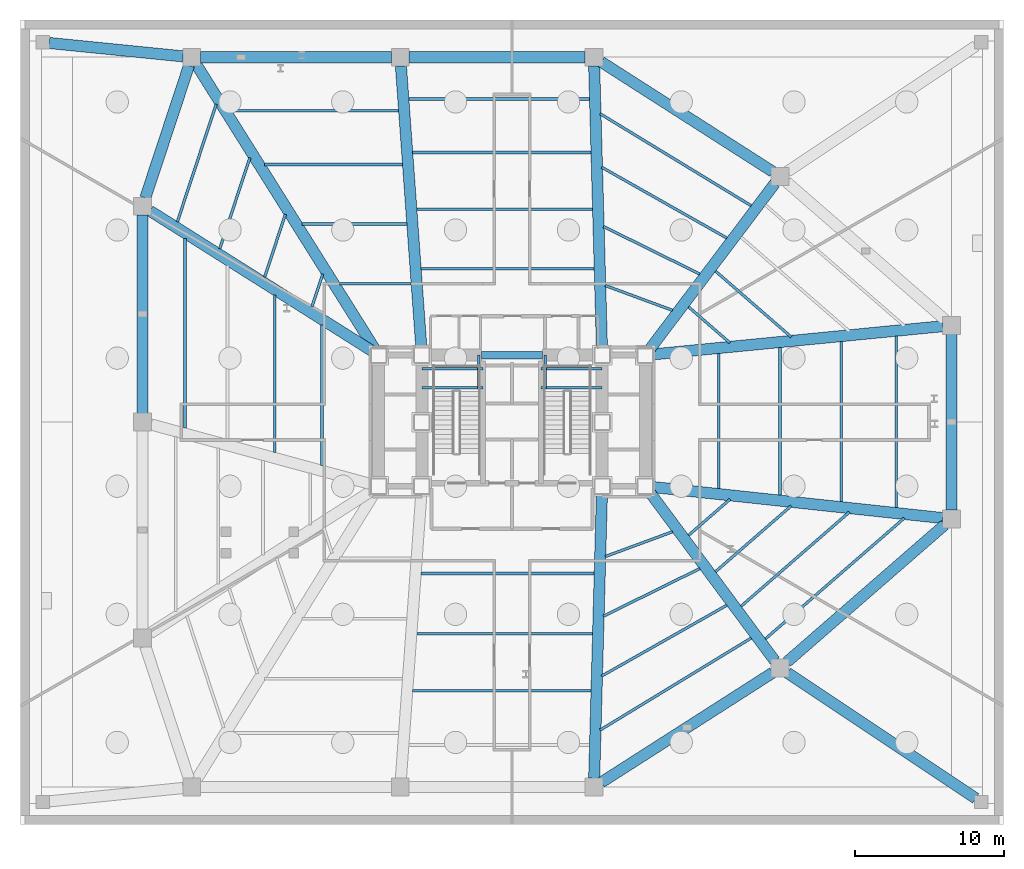
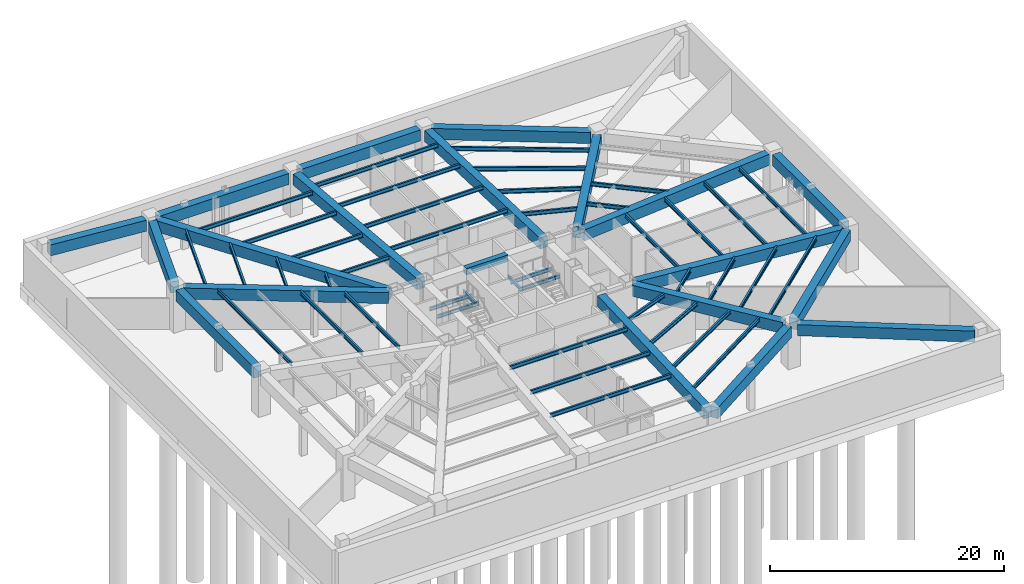
# One storey, part 2 of 7: 62 beams.
"""IFC4 building model written with IfcOpenShell, lengths in metres."""

from ifc_helpers import new_model, si_unit, direction, frame, origin, origin_2d, place, context, subcontext, project, spatial, rectangle, i_section, extrude, material, material_profile, profile_set, type_object, element, save


model = new_model("IFC4")

# Units and contexts
model_context = context("Model", 3, precision=1e-05, world=origin(), true_north=direction((0.0, 1.0)))
body_context = subcontext(model_context, "Body", "Model", "MODEL_VIEW")
ifc_project = project(units=[si_unit("LENGTHUNIT", "METRE"), si_unit("AREAUNIT", "SQUARE_METRE"), si_unit("VOLUMEUNIT", "CUBIC_METRE"), si_unit("PLANEANGLEUNIT", "RADIAN"), si_unit("MASSUNIT", "GRAM", prefix="KILO")], contexts=[model_context])

# Site, building, storey
site_placement = place(None, origin())
site = spatial("IfcSite", under=ifc_project, at=site_placement, CompositionType="ELEMENT")
building_placement = place(site_placement, origin())
building = spatial("IfcBuilding", under=site, at=building_placement, Name="Rocaltana Carrier Exchange", CompositionType="ELEMENT")
storey_placement = place(building_placement, frame((0.0, 0.0, -9.60009765625)))
storey = spatial("IfcBuildingStorey", under=building, at=storey_placement, Name="Lower Basement", CompositionType="ELEMENT", Elevation=-9.60009765625)

# Beams
ifc_material_1 = material(Name="Concrete C50/60", Category="concrete")
ifc_material_profile_1 = material_profile(ifc_material_1, rectangle(XDim=0.75, YDim=1.14990234375, at=origin_2d()), Name="RC-BM-750X1150")
ifc_profile_set_1 = profile_set([ifc_material_profile_1], Name="Concrete C50/60")
beam_type_1 = type_object("IfcBeamType", Name="Basement RC Girder 750x1150", PredefinedType="BEAM", material=ifc_profile_set_1)
beam_1_placement = place(storey_placement, frame((5.99853515625, -24.180908203125, 3.873046875), z_axis=(0.842273348616, 0.539050652733, 0.0), x_axis=(-0.539050652733, 0.842273348616, 0.0)))
element("IfcBeam", 1, at=beam_1_placement, inside=storey, type_object=beam_type_1, Name="BM-PODR-03-Lower_Basement", PredefinedType="BEAM", context=body_context, shape_type="SweptSolid", body=[
    extrude(rectangle(XDim=0.75, YDim=1.14990234375, at=origin_2d()), origin(), (0.0, 0.0, 1.0), 13.656982421875),
])
beam_2_placement = place(storey_placement, frame((18.44677734375, -16.111572265625, 3.873046875), z_axis=(0.754600286985, 0.656184735331, 0.0), x_axis=(-0.656184735331, 0.754600286985, 0.0)))
element("IfcBeam", 2, at=beam_2_placement, inside=storey, type_object=beam_type_1, Name="BM-PODR-04-Lower_Basement", PredefinedType="BEAM", context=body_context, shape_type="SweptSolid", body=[
    extrude(rectangle(XDim=0.75, YDim=1.14990234375, at=origin_2d()), origin(), (0.0, 0.0, 1.0), 14.0556640625),
])
beam_3_placement = place(storey_placement, frame((29.5, -5.907958984375, 3.873046875), z_axis=(0.0, 1.0, 0.0), x_axis=(-1.0, 0.0, 0.0)))
element("IfcBeam", 3, at=beam_3_placement, inside=storey, type_object=beam_type_1, Name="BM-PODR-05-Lower_Basement", PredefinedType="BEAM", context=body_context, shape_type="SweptSolid", body=[
    extrude(rectangle(XDim=0.75, YDim=1.14990234375, at=origin_2d()), origin(), (0.0, 0.0, 1.0), 11.81591796875),
])
beam_4_placement = place(storey_placement, frame((17.50146484375, 16.819091796875, 3.873046875), z_axis=(-0.842273348616, 0.539050652733, 0.0), x_axis=(-0.539050652733, -0.842273348616, 0.0)))
element("IfcBeam", 4, at=beam_4_placement, inside=storey, type_object=beam_type_1, Name="BM-PODR-07-Lower_Basement", PredefinedType="BEAM", context=body_context, shape_type="SweptSolid", body=[
    extrude(rectangle(XDim=0.75, YDim=1.14990234375, at=origin_2d()), origin(), (0.0, 0.0, 1.0), 13.656982421875),
])
beam_5_placement = place(storey_placement, frame((4.907958984375, 24.5, 3.873046875), z_axis=(-1.0, 0.0, 0.0), x_axis=(0.0, -1.0, 0.0)))
element("IfcBeam", 5, at=beam_5_placement, inside=storey, type_object=beam_type_1, Name="BM-PODR-08-Lower_Basement", PredefinedType="BEAM", context=body_context, shape_type="SweptSolid", body=[
    extrude(rectangle(XDim=0.75, YDim=1.14990234375, at=origin_2d()), origin(), (0.0, 0.0, 1.0), 11.81591796875),
])
beam_6_placement = place(storey_placement, frame((-8.092041015625, 24.5, 3.873046875), z_axis=(-1.0, 0.0, 0.0), x_axis=(0.0, -1.0, 0.0)))
element("IfcBeam", 6, at=beam_6_placement, inside=storey, type_object=beam_type_1, Name="BM-PODR-09-Lower_Basement", PredefinedType="BEAM", context=body_context, shape_type="SweptSolid", body=[
    extrude(rectangle(XDim=0.75, YDim=1.14990234375, at=origin_2d()), origin(), (0.0, 0.0, 1.0), 12.81591796875),
])
beam_7_placement = place(storey_placement, frame((-21.685546875, 23.937744140625, 3.873046875), z_axis=(-0.313381694349, -0.949627249844, 0.0), x_axis=(0.949627249844, -0.313381694349, 0.0)))
element("IfcBeam", 7, at=beam_7_placement, inside=storey, type_object=beam_type_1, Name="BM-PODR-10-Lower_Basement", PredefinedType="BEAM", context=body_context, shape_type="SweptSolid", body=[
    extrude(rectangle(XDim=0.75, YDim=1.14990234375, at=origin_2d()), origin(), (0.0, 0.0, 1.0), 9.34619140625),
])
beam_8_placement = place(storey_placement, frame((-24.800048828125, 13.907958984375, 3.873046875), z_axis=(0.0, -1.0, 0.0), x_axis=(1.0, 0.0, 0.0)))
element("IfcBeam", 8, at=beam_8_placement, inside=storey, type_object=beam_type_1, Name="BM-PODR-11-Lower_Basement", PredefinedType="BEAM", context=body_context, shape_type="SweptSolid", body=[
    extrude(rectangle(XDim=0.75, YDim=1.14990234375, at=origin_2d()), origin(), (0.0, 0.0, 1.0), 13.31591796875),
])
beam_9_placement = place(storey_placement, frame((6.03515625, -4.841796875, 3.873046875), z_axis=(-0.027212823481, -0.999629662544, 0.0), x_axis=(0.999629662544, -0.027212823481, 0.0)))
element("IfcBeam", 9, at=beam_9_placement, inside=storey, type_object=beam_type_1, Name="BM-PODG-03-Lower_Basement", PredefinedType="BEAM", context=body_context, shape_type="SweptSolid", body=[
    extrude(rectangle(XDim=0.75, YDim=1.14990234375, at=origin_2d()), origin(), (0.0, 0.0, 1.0), 19.073486328125),
])
beam_10_placement = place(storey_placement, frame((9.27294921875, -4.7353515625, 3.873046875), z_axis=(0.595778622858, -0.8031486989, 0.0), x_axis=(0.8031486989, 0.595778622858, 0.0)))
element("IfcBeam", 10, at=beam_10_placement, inside=storey, type_object=beam_type_1, Name="BM-PODG-04-Lower_Basement", PredefinedType="BEAM", context=body_context, shape_type="SweptSolid", body=[
    extrude(rectangle(XDim=0.75, YDim=1.14990234375, at=origin_2d()), origin(), (0.0, 0.0, 1.0), 14.055908203125),
])
beam_11_placement = place(storey_placement, frame((9.489013671875, -4.357666015625, 3.873046875), z_axis=(0.994317945297, -0.106451038792, 0.0), x_axis=(0.106451038792, 0.994317945297, 0.0)))
element("IfcBeam", 11, at=beam_11_placement, inside=storey, type_object=beam_type_1, Name="BM-PODG-05-Lower_Basement", PredefinedType="BEAM", context=body_context, shape_type="SweptSolid", body=[
    extrude(rectangle(XDim=0.75, YDim=1.14990234375, at=origin_2d()), origin(), (0.0, 0.0, 1.0), 19.533447265625),
])
beam_12_placement = place(storey_placement, frame((9.489501953125, 4.552490234375, 3.873046875), z_axis=(0.995297550212, 0.096864784836, 0.0), x_axis=(-0.096864784836, 0.995297550212, 0.0)))
element("IfcBeam", 12, at=beam_12_placement, inside=storey, type_object=beam_type_1, Name="BM-PODG-06-Lower_Basement", PredefinedType="BEAM", context=body_context, shape_type="SweptSolid", body=[
    extrude(rectangle(XDim=0.75, YDim=1.14990234375, at=origin_2d()), origin(), (0.0, 0.0, 1.0), 19.51318359375),
])
beam_13_placement = place(storey_placement, frame((9.2763671875, 4.9326171875, 3.873046875), z_axis=(0.602123023099, 0.798403322296, 0.0), x_axis=(-0.798403322296, 0.602123023099, 0.0)))
element("IfcBeam", 13, at=beam_13_placement, inside=storey, type_object=beam_type_1, Name="BM-PODG-07-Lower_Basement", PredefinedType="BEAM", context=body_context, shape_type="SweptSolid", body=[
    extrude(rectangle(XDim=0.75, YDim=1.14990234375, at=origin_2d()), origin(), (0.0, 0.0, 1.0), 13.896240234375),
])
beam_14_placement = place(storey_placement, frame((6.03515625, 5.041748046875, 3.873046875), z_axis=(-0.027488088676, 0.999622131098, 0.0), x_axis=(-0.999622131098, -0.027488088676, 0.0)))
element("IfcBeam", 14, at=beam_14_placement, inside=storey, type_object=beam_type_1, Name="BM-PODG-08-Lower_Basement", PredefinedType="BEAM", context=body_context, shape_type="SweptSolid", body=[
    extrude(rectangle(XDim=0.75, YDim=1.14990234375, at=origin_2d()), origin(), (0.0, 0.0, 1.0), 18.87353515625),
])
beam_15_placement = place(storey_placement, frame((-6.089111328125, 5.04052734375, 3.873046875), z_axis=(-0.072319098721, 0.997381545829, 0.0), x_axis=(-0.997381545829, -0.072319098721, 0.0)))
element("IfcBeam", 15, at=beam_15_placement, inside=storey, type_object=beam_type_1, Name="BM-PODG-09-Lower_Basement", PredefinedType="BEAM", context=body_context, shape_type="SweptSolid", body=[
    extrude(rectangle(XDim=0.75, YDim=1.14990234375, at=origin_2d()), origin(), (0.0, 0.0, 1.0), 18.91845703125),
])
beam_16_placement = place(storey_placement, frame((-9.238037109375, 4.958984375, 3.873046875), z_axis=(-0.531519187867, 0.847046251942, 0.0), x_axis=(-0.847046251942, -0.531519187867, 0.0)))
element("IfcBeam", 16, at=beam_16_placement, inside=storey, type_object=beam_type_1, Name="BM-PODG-10-Lower_Basement", PredefinedType="BEAM", context=body_context, shape_type="SweptSolid", body=[
    extrude(rectangle(XDim=0.75, YDim=1.14990234375, at=origin_2d()), origin(), (0.0, 0.0, 1.0), 22.4775390625),
])
beam_17_placement = place(storey_placement, frame((-9.408447265625, 4.789306640625, 3.873046875), z_axis=(-0.845744823704, 0.533587568425, 0.0), x_axis=(-0.533587568425, -0.845744823704, 0.0)))
element("IfcBeam", 17, at=beam_17_placement, inside=storey, type_object=beam_type_1, Name="BM-PODG-11-Lower_Basement", PredefinedType="BEAM", context=body_context, shape_type="SweptSolid", body=[
    extrude(rectangle(XDim=0.75, YDim=1.14990234375, at=origin_2d()), origin(), (0.0, 0.0, 1.0), 17.606689453125),
])
beam_18_placement = place(storey_placement, frame((18.49267578125, -16.828369140625, 3.873046875), z_axis=(0.832042876601, -0.554711322669, 0.0), x_axis=(0.554711322669, 0.832042876601, 0.0)))
element("IfcBeam", 18, at=beam_18_placement, inside=storey, type_object=beam_type_1, Name="BM-BSUB-2-Lower_Basement", PredefinedType="BEAM", context=body_context, shape_type="SweptSolid", body=[
    extrude(rectangle(XDim=0.75, YDim=1.14990234375, at=origin_2d()), origin(), (0.0, 0.0, 1.0), 15.19091796875),
])
beam_19_placement = place(storey_placement, frame((-22.089111328125, 24.558837890625, 3.873046875), z_axis=(-0.995036117726, 0.099514443277, 0.0), x_axis=(-0.099514443277, -0.995036117726, 0.0)))
element("IfcBeam", 19, at=beam_19_placement, inside=storey, type_object=beam_type_1, Name="BM-BSUB-4-Lower_Basement", PredefinedType="BEAM", context=body_context, shape_type="SweptSolid", body=[
    extrude(rectangle(XDim=0.75, YDim=1.14990234375, at=origin_2d()), origin(), (0.0, 0.0, 1.0), 9.015869140625),
])
ifc_material_2 = material(Name="Concrete C60/75", Category="concrete")
ifc_material_profile_2 = material_profile(ifc_material_2, rectangle(XDim=0.5, YDim=0.699951171875, at=origin_2d()), Name="RC-BM-500X700")
ifc_profile_set_2 = profile_set([ifc_material_profile_2], Name="Concrete C60/75")
beam_type_2 = type_object("IfcBeamType", Name="Core Coupling Lintel 500x700", PredefinedType="LINTEL", material=ifc_profile_set_2)
beam_20_placement = place(storey_placement, frame((-2.050048828125, 4.5, 4.09814453125), z_axis=(1.0, 0.0, 0.0), x_axis=(0.0, 1.0, 0.0)))
element("IfcBeam", 20, at=beam_20_placement, inside=storey, type_object=beam_type_2, Name="Lower Basement Core Coupling Lintel CL-N", PredefinedType="LINTEL", context=body_context, shape_type="SweptSolid", body=[
    extrude(rectangle(XDim=0.5, YDim=0.699951171875, at=origin_2d()), origin(), (0.0, 0.0, 1.0), 4.10009765625),
])
ifc_material_3 = material(Name="Steel S355", Category="steel")
ifc_material_profile_3 = material_profile(ifc_material_3, i_section(OverallWidth=0.172119140625, OverallDepth=0.35791015625, WebThickness=0.0078125, FlangeThickness=0.01318359375, FilletRadius=0.011962890625, at=origin_2d()), Name="W14X38")
ifc_profile_set_3 = profile_set([ifc_material_profile_3], Name="Steel S355")
beam_type_3 = type_object("IfcBeamType", Name="Floor Joist W14X38", PredefinedType="JOIST", material=ifc_profile_set_3)
for number, where, z_axis, x_axis, name in (
    (21, (-6.050048828125, 2.300048828125, 2.02099609375), (1.0, 0.0, 0.0), (0.0, 1.0, 0.0), "Lower Basement ST-1 Landing Carrier 1"),
    (22, (1.93994140625, 2.300048828125, 2.02099609375), (1.0, 0.0, 0.0), (0.0, 1.0, 0.0), "Lower Basement ST-2 Landing Carrier 1"),
    (23, (-6.050048828125, 3.60009765625, 2.02099609375), (1.0, 0.0, 0.0), (0.0, 1.0, 0.0), "Lower Basement ST-1 Landing Carrier 2"),
    (24, (1.93994140625, 3.60009765625, 2.02099609375), (1.0, 0.0, 0.0), (0.0, 1.0, 0.0), "Lower Basement ST-2 Landing Carrier 2"),
):
    element("IfcBeam", number, at=place(storey_placement, frame(where, z_axis=z_axis, x_axis=x_axis)), inside=storey, type_object=beam_type_3, Name=name, PredefinedType="JOIST", context=body_context, shape_type="SweptSolid", body=[
        extrude(i_section(OverallWidth=0.172119140625, OverallDepth=0.35791015625, WebThickness=0.0078125, FlangeThickness=0.01318359375, FilletRadius=0.011962890625, at=origin_2d()), origin(), (0.0, 0.0, 1.0), 4.110107421875),
    ])
for number, where, z_axis, x_axis, name in (
    (25, (-2.219970703125, 2.300048828125, 2.02099609375), (0.0, 1.0, 0.0), (-1.0, 0.0, 0.0), "Lower Basement ST-1 Landing Cross Trimmer"),
    (26, (2.219970703125, 2.300048828125, 2.02099609375), (0.0, 1.0, 0.0), (-1.0, 0.0, 0.0), "Lower Basement ST-2 Landing Cross Trimmer"),
):
    element("IfcBeam", number, at=place(storey_placement, frame(where, z_axis=z_axis, x_axis=x_axis)), inside=storey, type_object=beam_type_3, Name=name, PredefinedType="JOIST", context=body_context, shape_type="SweptSolid", body=[
        extrude(i_section(OverallWidth=0.172119140625, OverallDepth=0.35791015625, WebThickness=0.0078125, FlangeThickness=0.01318359375, FilletRadius=0.011962890625, at=origin_2d()), origin(), (0.0, 0.0, 1.0), 2.199951171875),
    ])
ifc_material_4 = material(Name="Steel S355", Category="steel")
ifc_material_profile_4 = material_profile(ifc_material_4, i_section(OverallWidth=0.179931640625, OverallDepth=0.4130859375, WebThickness=0.009765625, FlangeThickness=0.01611328125, FilletRadius=0.012939453125, at=origin_2d()), Name="W16X50")
ifc_profile_set_4 = profile_set([ifc_material_profile_4], Name="Steel S355")
beam_type_4 = type_object("IfcBeamType", Name="Floor Joist W16X50", PredefinedType="JOIST", material=ifc_profile_set_4)
beam_21_placement = place(storey_placement, frame((-6.1015625, -10.157958984375, 4.24169921875), z_axis=(1.0, 0.0, 0.0), x_axis=(0.0, 1.0, 0.0)))
element("IfcBeam", 27, at=beam_21_placement, inside=storey, type_object=beam_type_4, Name="FJ-POD-02-1-Lower_Basement", PredefinedType="JOIST", context=body_context, shape_type="SweptSolid", body=[
    extrude(i_section(OverallWidth=0.179931640625, OverallDepth=0.4130859375, WebThickness=0.009765625, FlangeThickness=0.01611328125, FilletRadius=0.012939453125, at=origin_2d()), origin(), (0.0, 0.0, 1.0), 11.623046875),
])
beam_22_placement = place(storey_placement, frame((-6.3916015625, -14.197998046875, 4.24169921875), z_axis=(1.0, 0.0, 0.0), x_axis=(0.0, 1.0, 0.0)))
element("IfcBeam", 28, at=beam_22_placement, inside=storey, type_object=beam_type_4, Name="FJ-POD-02-2-Lower_Basement", PredefinedType="JOIST", context=body_context, shape_type="SweptSolid", body=[
    extrude(i_section(OverallWidth=0.179931640625, OverallDepth=0.4130859375, WebThickness=0.009765625, FlangeThickness=0.01611328125, FilletRadius=0.012939453125, at=origin_2d()), origin(), (0.0, 0.0, 1.0), 11.80322265625),
])
beam_23_placement = place(storey_placement, frame((-6.6669921875, -18.035888671875, 4.24169921875), z_axis=(1.0, 0.0, 0.0), x_axis=(0.0, 1.0, 0.0)))
element("IfcBeam", 29, at=beam_23_placement, inside=storey, type_object=beam_type_4, Name="FJ-POD-02-3-Lower_Basement", PredefinedType="JOIST", context=body_context, shape_type="SweptSolid", body=[
    extrude(i_section(OverallWidth=0.179931640625, OverallDepth=0.4130859375, WebThickness=0.009765625, FlangeThickness=0.01611328125, FilletRadius=0.012939453125, at=origin_2d()), origin(), (0.0, 0.0, 1.0), 11.973876953125),
])
beam_24_placement = place(storey_placement, frame((6.26416015625, -9.020263671875, 4.24169921875), z_axis=(0.93818526809, 0.346133504212, 0.0), x_axis=(-0.346133504212, 0.93818526809, 0.0)))
element("IfcBeam", 30, at=beam_24_placement, inside=storey, type_object=beam_type_4, Name="FJ-POD-03-1-Lower_Basement", PredefinedType="JOIST", context=body_context, shape_type="SweptSolid", body=[
    extrude(i_section(OverallWidth=0.179931640625, OverallDepth=0.4130859375, WebThickness=0.009765625, FlangeThickness=0.01611328125, FilletRadius=0.012939453125, at=origin_2d()), origin(), (0.0, 0.0, 1.0), 4.80908203125),
])
beam_25_placement = place(storey_placement, frame((6.138916015625, -13.0244140625, 4.24169921875), z_axis=(0.896544122613, 0.44295444033, 0.0), x_axis=(-0.44295444033, 0.896544122613, 0.0)))
element("IfcBeam", 31, at=beam_25_placement, inside=storey, type_object=beam_type_4, Name="FJ-POD-03-2-Lower_Basement", PredefinedType="JOIST", context=body_context, shape_type="SweptSolid", body=[
    extrude(i_section(OverallWidth=0.179931640625, OverallDepth=0.4130859375, WebThickness=0.009765625, FlangeThickness=0.01611328125, FilletRadius=0.012939453125, at=origin_2d()), origin(), (0.0, 0.0, 1.0), 7.2080078125),
])
beam_26_placement = place(storey_placement, frame((6.01904296875, -17.046142578125, 4.24169921875), z_axis=(0.870231082695, 0.492643748273, 0.0), x_axis=(-0.492643748273, 0.870231082695, 0.0)))
element("IfcBeam", 32, at=beam_26_placement, inside=storey, type_object=beam_type_4, Name="FJ-POD-03-3-Lower_Basement", PredefinedType="JOIST", context=body_context, shape_type="SweptSolid", body=[
    extrude(i_section(OverallWidth=0.179931640625, OverallDepth=0.4130859375, WebThickness=0.009765625, FlangeThickness=0.01611328125, FilletRadius=0.012939453125, at=origin_2d()), origin(), (0.0, 0.0, 1.0), 9.65478515625),
])
beam_27_placement = place(storey_placement, frame((5.914306640625, -20.672119140625, 4.24169921875), z_axis=(0.854081807354, 0.520138699144, 0.0), x_axis=(-0.520138699144, 0.854081807354, 0.0)))
element("IfcBeam", 33, at=beam_27_placement, inside=storey, type_object=beam_type_4, Name="FJ-POD-03-4-Lower_Basement", PredefinedType="JOIST", context=body_context, shape_type="SweptSolid", body=[
    extrude(i_section(OverallWidth=0.179931640625, OverallDepth=0.4130859375, WebThickness=0.009765625, FlangeThickness=0.01611328125, FilletRadius=0.012939453125, at=origin_2d()), origin(), (0.0, 0.0, 1.0), 11.874267578125),
])
beam_28_placement = place(storey_placement, frame((11.852783203125, -7.595947265625, 4.24169921875), z_axis=(0.754626935652, 0.656154088601, 0.0), x_axis=(-0.656154088601, 0.754626935652, 0.0)))
element("IfcBeam", 34, at=beam_28_placement, inside=storey, type_object=beam_type_4, Name="FJ-POD-04-1-Lower_Basement", PredefinedType="JOIST", context=body_context, shape_type="SweptSolid", body=[
    extrude(i_section(OverallWidth=0.179931640625, OverallDepth=0.4130859375, WebThickness=0.009765625, FlangeThickness=0.01611328125, FilletRadius=0.012939453125, at=origin_2d()), origin(), (0.0, 0.0, 1.0), 3.681640625),
])
beam_29_placement = place(storey_placement, frame((13.662841796875, -10.035888671875, 4.24169921875), z_axis=(0.754620361229, 0.65616164961, 0.0), x_axis=(-0.65616164961, 0.754620361229, 0.0)))
element("IfcBeam", 35, at=beam_29_placement, inside=storey, type_object=beam_type_4, Name="FJ-POD-04-2-Lower_Basement", PredefinedType="JOIST", context=body_context, shape_type="SweptSolid", body=[
    extrude(i_section(OverallWidth=0.179931640625, OverallDepth=0.4130859375, WebThickness=0.009765625, FlangeThickness=0.01611328125, FilletRadius=0.012939453125, at=origin_2d()), origin(), (0.0, 0.0, 1.0), 6.729736328125),
])
beam_30_placement = place(storey_placement, frame((15.38232421875, -12.35400390625, 4.24169921875), z_axis=(0.75460006149, 0.656184994647, 0.0), x_axis=(-0.656184994647, 0.75460006149, 0.0)))
element("IfcBeam", 36, at=beam_30_placement, inside=storey, type_object=beam_type_4, Name="FJ-POD-04-3-Lower_Basement", PredefinedType="JOIST", context=body_context, shape_type="SweptSolid", body=[
    extrude(i_section(OverallWidth=0.179931640625, OverallDepth=0.4130859375, WebThickness=0.009765625, FlangeThickness=0.01611328125, FilletRadius=0.012939453125, at=origin_2d()), origin(), (0.0, 0.0, 1.0), 9.625244140625),
])
beam_31_placement = place(storey_placement, frame((17.011474609375, -14.5498046875, 4.24169921875), z_axis=(0.754602972379, 0.656181647165, 0.0), x_axis=(-0.656181647165, 0.754602972379, 0.0)))
element("IfcBeam", 37, at=beam_31_placement, inside=storey, type_object=beam_type_4, Name="FJ-POD-04-4-Lower_Basement", PredefinedType="JOIST", context=body_context, shape_type="SweptSolid", body=[
    extrude(i_section(OverallWidth=0.179931640625, OverallDepth=0.4130859375, WebThickness=0.009765625, FlangeThickness=0.01611328125, FilletRadius=0.012939453125, at=origin_2d()), origin(), (0.0, 0.0, 1.0), 12.3681640625),
])
beam_32_placement = place(storey_placement, frame((13.882080078125, -4.458984375, 4.24169921875), z_axis=(0.0, 1.0, 0.0), x_axis=(-1.0, 0.0, 0.0)))
element("IfcBeam", 38, at=beam_32_placement, inside=storey, type_object=beam_type_4, Name="FJ-POD-05-1-Lower_Basement", PredefinedType="JOIST", context=body_context, shape_type="SweptSolid", body=[
    extrude(i_section(OverallWidth=0.179931640625, OverallDepth=0.4130859375, WebThickness=0.009765625, FlangeThickness=0.01611328125, FilletRadius=0.012939453125, at=origin_2d()), origin(), (0.0, 0.0, 1.0), 9.070068359375),
])
beam_33_placement = place(storey_placement, frame((17.991943359375, -4.89892578125, 4.24169921875), z_axis=(0.0, 1.0, 0.0), x_axis=(-1.0, 0.0, 0.0)))
element("IfcBeam", 39, at=beam_33_placement, inside=storey, type_object=beam_type_4, Name="FJ-POD-05-2-Lower_Basement", PredefinedType="JOIST", context=body_context, shape_type="SweptSolid", body=[
    extrude(i_section(OverallWidth=0.179931640625, OverallDepth=0.4130859375, WebThickness=0.009765625, FlangeThickness=0.01611328125, FilletRadius=0.012939453125, at=origin_2d()), origin(), (0.0, 0.0, 1.0), 9.909912109375),
])
beam_34_placement = place(storey_placement, frame((22.10205078125, -5.339111328125, 4.24169921875), z_axis=(0.0, 1.0, 0.0), x_axis=(-1.0, 0.0, 0.0)))
element("IfcBeam", 40, at=beam_34_placement, inside=storey, type_object=beam_type_4, Name="FJ-POD-05-3-Lower_Basement", PredefinedType="JOIST", context=body_context, shape_type="SweptSolid", body=[
    extrude(i_section(OverallWidth=0.179931640625, OverallDepth=0.4130859375, WebThickness=0.009765625, FlangeThickness=0.01611328125, FilletRadius=0.012939453125, at=origin_2d()), origin(), (0.0, 0.0, 1.0), 10.75),
])
beam_35_placement = place(storey_placement, frame((25.801025390625, -5.735107421875, 4.24169921875), z_axis=(0.0, 1.0, 0.0), x_axis=(-1.0, 0.0, 0.0)))
element("IfcBeam", 41, at=beam_35_placement, inside=storey, type_object=beam_type_4, Name="FJ-POD-05-4-Lower_Basement", PredefinedType="JOIST", context=body_context, shape_type="SweptSolid", body=[
    extrude(i_section(OverallWidth=0.179931640625, OverallDepth=0.4130859375, WebThickness=0.009765625, FlangeThickness=0.01611328125, FilletRadius=0.012939453125, at=origin_2d()), origin(), (0.0, 0.0, 1.0), 11.506103515625),
])
beam_36_placement = place(storey_placement, frame((14.631103515625, 5.322021484375, 4.24169921875), z_axis=(-0.754626935652, 0.656154088601, 0.0), x_axis=(-0.656154088601, -0.754626935652, 0.0)))
element("IfcBeam", 42, at=beam_36_placement, inside=storey, type_object=beam_type_4, Name="FJ-POD-06-1-Lower_Basement", PredefinedType="JOIST", context=body_context, shape_type="SweptSolid", body=[
    extrude(i_section(OverallWidth=0.179931640625, OverallDepth=0.4130859375, WebThickness=0.009765625, FlangeThickness=0.01611328125, FilletRadius=0.012939453125, at=origin_2d()), origin(), (0.0, 0.0, 1.0), 3.681640625),
])
beam_37_placement = place(storey_placement, frame((18.7412109375, 5.72216796875, 4.24169921875), z_axis=(-0.754620361229, 0.65616164961, 0.0), x_axis=(-0.65616164961, -0.754620361229, 0.0)))
element("IfcBeam", 43, at=beam_37_placement, inside=storey, type_object=beam_type_4, Name="FJ-POD-06-2-Lower_Basement", PredefinedType="JOIST", context=body_context, shape_type="SweptSolid", body=[
    extrude(i_section(OverallWidth=0.179931640625, OverallDepth=0.4130859375, WebThickness=0.009765625, FlangeThickness=0.01611328125, FilletRadius=0.012939453125, at=origin_2d()), origin(), (0.0, 0.0, 1.0), 6.729736328125),
])
beam_38_placement = place(storey_placement, frame((10.77587890625, 7.5078125, 4.24169921875), z_axis=(-0.93818526809, 0.346133504212, 0.0), x_axis=(-0.346133504212, -0.93818526809, 0.0)))
element("IfcBeam", 44, at=beam_38_placement, inside=storey, type_object=beam_type_4, Name="FJ-POD-07-1-Lower_Basement", PredefinedType="JOIST", context=body_context, shape_type="SweptSolid", body=[
    extrude(i_section(OverallWidth=0.179931640625, OverallDepth=0.4130859375, WebThickness=0.009765625, FlangeThickness=0.01611328125, FilletRadius=0.012939453125, at=origin_2d()), origin(), (0.0, 0.0, 1.0), 4.80908203125),
])
beam_39_placement = place(storey_placement, frame((12.601318359375, 9.943603515625, 4.24169921875), z_axis=(-0.896544122613, 0.44295444033, 0.0), x_axis=(-0.44295444033, -0.896544122613, 0.0)))
element("IfcBeam", 45, at=beam_39_placement, inside=storey, type_object=beam_type_4, Name="FJ-POD-07-2-Lower_Basement", PredefinedType="JOIST", context=body_context, shape_type="SweptSolid", body=[
    extrude(i_section(OverallWidth=0.179931640625, OverallDepth=0.4130859375, WebThickness=0.009765625, FlangeThickness=0.01611328125, FilletRadius=0.012939453125, at=origin_2d()), origin(), (0.0, 0.0, 1.0), 7.2080078125),
])
beam_40_placement = place(storey_placement, frame((14.4208984375, 12.36181640625, 4.24169921875), z_axis=(-0.870231082695, 0.492643748273, 0.0), x_axis=(-0.492643748273, -0.870231082695, 0.0)))
element("IfcBeam", 46, at=beam_40_placement, inside=storey, type_object=beam_type_4, Name="FJ-POD-07-3-Lower_Basement", PredefinedType="JOIST", context=body_context, shape_type="SweptSolid", body=[
    extrude(i_section(OverallWidth=0.179931640625, OverallDepth=0.4130859375, WebThickness=0.009765625, FlangeThickness=0.01611328125, FilletRadius=0.012939453125, at=origin_2d()), origin(), (0.0, 0.0, 1.0), 9.65478515625),
])
beam_41_placement = place(storey_placement, frame((16.055908203125, 14.531982421875, 4.24169921875), z_axis=(-0.854090941122, 0.520123700953, 0.0), x_axis=(-0.520123700953, -0.854090941122, 0.0)))
element("IfcBeam", 47, at=beam_41_placement, inside=storey, type_object=beam_type_4, Name="FJ-POD-07-4-Lower_Basement", PredefinedType="JOIST", context=body_context, shape_type="SweptSolid", body=[
    extrude(i_section(OverallWidth=0.179931640625, OverallDepth=0.4130859375, WebThickness=0.009765625, FlangeThickness=0.01611328125, FilletRadius=0.012939453125, at=origin_2d()), origin(), (0.0, 0.0, 1.0), 11.874267578125),
])
beam_42_placement = place(storey_placement, frame((5.521484375, 10.300048828125, 4.24169921875), z_axis=(-1.0, 0.0, 0.0), x_axis=(0.0, -1.0, 0.0)))
element("IfcBeam", 48, at=beam_42_placement, inside=storey, type_object=beam_type_4, Name="FJ-POD-08-1-Lower_Basement", PredefinedType="JOIST", context=body_context, shape_type="SweptSolid", body=[
    extrude(i_section(OverallWidth=0.179931640625, OverallDepth=0.4130859375, WebThickness=0.009765625, FlangeThickness=0.01611328125, FilletRadius=0.012939453125, at=origin_2d()), origin(), (0.0, 0.0, 1.0), 11.623046875),
])
beam_43_placement = place(storey_placement, frame((5.41162109375, 14.300048828125, 4.24169921875), z_axis=(-1.0, 0.0, 0.0), x_axis=(0.0, -1.0, 0.0)))
element("IfcBeam", 49, at=beam_43_placement, inside=storey, type_object=beam_type_4, Name="FJ-POD-08-2-Lower_Basement", PredefinedType="JOIST", context=body_context, shape_type="SweptSolid", body=[
    extrude(i_section(OverallWidth=0.179931640625, OverallDepth=0.4130859375, WebThickness=0.009765625, FlangeThickness=0.01611328125, FilletRadius=0.012939453125, at=origin_2d()), origin(), (0.0, 0.0, 1.0), 11.80322265625),
])
beam_44_placement = place(storey_placement, frame((5.306884765625, 18.10009765625, 4.24169921875), z_axis=(-1.0, 0.0, 0.0), x_axis=(0.0, -1.0, 0.0)))
element("IfcBeam", 50, at=beam_44_placement, inside=storey, type_object=beam_type_4, Name="FJ-POD-08-3-Lower_Basement", PredefinedType="JOIST", context=body_context, shape_type="SweptSolid", body=[
    extrude(i_section(OverallWidth=0.179931640625, OverallDepth=0.4130859375, WebThickness=0.009765625, FlangeThickness=0.01611328125, FilletRadius=0.012939453125, at=origin_2d()), origin(), (0.0, 0.0, 1.0), 11.973876953125),
])
beam_45_placement = place(storey_placement, frame((5.2080078125, 21.699951171875, 4.24169921875), z_axis=(-1.0, 0.0, 0.0), x_axis=(0.0, -1.0, 0.0)))
element("IfcBeam", 51, at=beam_45_placement, inside=storey, type_object=beam_type_4, Name="FJ-POD-08-4-Lower_Basement", PredefinedType="JOIST", context=body_context, shape_type="SweptSolid", body=[
    extrude(i_section(OverallWidth=0.179931640625, OverallDepth=0.4130859375, WebThickness=0.009765625, FlangeThickness=0.01611328125, FilletRadius=0.012939453125, at=origin_2d()), origin(), (0.0, 0.0, 1.0), 12.135986328125),
])
beam_46_placement = place(storey_placement, frame((-6.76708984375, 9.300048828125, 4.24169921875), z_axis=(-1.0, 0.0, 0.0), x_axis=(0.0, -1.0, 0.0)))
element("IfcBeam", 52, at=beam_46_placement, inside=storey, type_object=beam_type_4, Name="FJ-POD-09-1-Lower_Basement", PredefinedType="JOIST", context=body_context, shape_type="SweptSolid", body=[
    extrude(i_section(OverallWidth=0.179931640625, OverallDepth=0.4130859375, WebThickness=0.009765625, FlangeThickness=0.01611328125, FilletRadius=0.012939453125, at=origin_2d()), origin(), (0.0, 0.0, 1.0), 4.825927734375),
])
beam_47_placement = place(storey_placement, frame((-7.056884765625, 13.300048828125, 4.24169921875), z_axis=(-1.0, 0.0, 0.0), x_axis=(0.0, -1.0, 0.0)))
element("IfcBeam", 53, at=beam_47_placement, inside=storey, type_object=beam_type_4, Name="FJ-POD-09-2-Lower_Basement", PredefinedType="JOIST", context=body_context, shape_type="SweptSolid", body=[
    extrude(i_section(OverallWidth=0.179931640625, OverallDepth=0.4130859375, WebThickness=0.009765625, FlangeThickness=0.01611328125, FilletRadius=0.012939453125, at=origin_2d()), origin(), (0.0, 0.0, 1.0), 7.046142578125),
])
beam_48_placement = place(storey_placement, frame((-7.346923828125, 17.300048828125, 4.24169921875), z_axis=(-1.0, 0.0, 0.0), x_axis=(0.0, -1.0, 0.0)))
element("IfcBeam", 54, at=beam_48_placement, inside=storey, type_object=beam_type_4, Name="FJ-POD-09-3-Lower_Basement", PredefinedType="JOIST", context=body_context, shape_type="SweptSolid", body=[
    extrude(i_section(OverallWidth=0.179931640625, OverallDepth=0.4130859375, WebThickness=0.009765625, FlangeThickness=0.01611328125, FilletRadius=0.012939453125, at=origin_2d()), origin(), (0.0, 0.0, 1.0), 9.26611328125),
])
beam_49_placement = place(storey_placement, frame((-7.60791015625, 20.89990234375, 4.24169921875), z_axis=(-1.0, 0.0, 0.0), x_axis=(0.0, -1.0, 0.0)))
element("IfcBeam", 55, at=beam_49_placement, inside=storey, type_object=beam_type_4, Name="FJ-POD-09-4-Lower_Basement", PredefinedType="JOIST", context=body_context, shape_type="SweptSolid", body=[
    extrude(i_section(OverallWidth=0.179931640625, OverallDepth=0.4130859375, WebThickness=0.009765625, FlangeThickness=0.01611328125, FilletRadius=0.012939453125, at=origin_2d()), origin(), (0.0, 0.0, 1.0), 11.26416015625),
])
beam_50_placement = place(storey_placement, frame((-12.705078125, 9.94970703125, 4.24169921875), z_axis=(-0.31341167797, -0.949617354576, 0.0), x_axis=(0.949617354576, -0.31341167797, 0.0)))
element("IfcBeam", 56, at=beam_50_placement, inside=storey, type_object=beam_type_4, Name="FJ-POD-10-1-Lower_Basement", PredefinedType="JOIST", context=body_context, shape_type="SweptSolid", body=[
    extrude(i_section(OverallWidth=0.179931640625, OverallDepth=0.4130859375, WebThickness=0.009765625, FlangeThickness=0.01611328125, FilletRadius=0.012939453125, at=origin_2d()), origin(), (0.0, 0.0, 1.0), 2.31591796875),
])
beam_51_placement = place(storey_placement, frame((-15.215087890625, 13.94970703125, 4.24169921875), z_axis=(-0.313377454204, -0.949628649103, 0.0), x_axis=(0.949628649103, -0.313377454204, 0.0)))
element("IfcBeam", 57, at=beam_51_placement, inside=storey, type_object=beam_type_4, Name="FJ-POD-10-2-Lower_Basement", PredefinedType="JOIST", context=body_context, shape_type="SweptSolid", body=[
    extrude(i_section(OverallWidth=0.179931640625, OverallDepth=0.4130859375, WebThickness=0.009765625, FlangeThickness=0.01611328125, FilletRadius=0.012939453125, at=origin_2d()), origin(), (0.0, 0.0, 1.0), 4.421875),
])
beam_52_placement = place(storey_placement, frame((-17.599609375, 17.74951171875, 4.24169921875), z_axis=(-0.313375397433, -0.949629327835, 0.0), x_axis=(0.949629327835, -0.313375397433, 0.0)))
element("IfcBeam", 58, at=beam_52_placement, inside=storey, type_object=beam_type_4, Name="FJ-POD-10-3-Lower_Basement", PredefinedType="JOIST", context=body_context, shape_type="SweptSolid", body=[
    extrude(i_section(OverallWidth=0.179931640625, OverallDepth=0.4130859375, WebThickness=0.009765625, FlangeThickness=0.01611328125, FilletRadius=0.012939453125, at=origin_2d()), origin(), (0.0, 0.0, 1.0), 6.422607421875),
])
beam_53_placement = place(storey_placement, frame((-19.858642578125, 21.349609375, 4.24169921875), z_axis=(-0.313373484006, -0.949629959259, 0.0), x_axis=(0.949629959259, -0.313373484006, 0.0)))
element("IfcBeam", 59, at=beam_53_placement, inside=storey, type_object=beam_type_4, Name="FJ-POD-10-4-Lower_Basement", PredefinedType="JOIST", context=body_context, shape_type="SweptSolid", body=[
    extrude(i_section(OverallWidth=0.179931640625, OverallDepth=0.4130859375, WebThickness=0.009765625, FlangeThickness=0.01611328125, FilletRadius=0.012939453125, at=origin_2d()), origin(), (0.0, 0.0, 1.0), 8.318115234375),
])
beam_54_placement = place(storey_placement, frame((-12.75390625, 6.531005859375, 4.24169921875), z_axis=(0.0, -1.0, 0.0), x_axis=(1.0, 0.0, 0.0)))
element("IfcBeam", 60, at=beam_54_placement, inside=storey, type_object=beam_type_4, Name="FJ-POD-11-1-Lower_Basement", PredefinedType="JOIST", context=body_context, shape_type="SweptSolid", body=[
    extrude(i_section(OverallWidth=0.179931640625, OverallDepth=0.4130859375, WebThickness=0.009765625, FlangeThickness=0.01611328125, FilletRadius=0.012939453125, at=origin_2d()), origin(), (0.0, 0.0, 1.0), 9.429931640625),
])
beam_55_placement = place(storey_placement, frame((-15.924072265625, 8.531005859375, 4.24169921875), z_axis=(0.0, -1.0, 0.0), x_axis=(1.0, 0.0, 0.0)))
element("IfcBeam", 61, at=beam_55_placement, inside=storey, type_object=beam_type_4, Name="FJ-POD-11-2-Lower_Basement", PredefinedType="JOIST", context=body_context, shape_type="SweptSolid", body=[
    extrude(i_section(OverallWidth=0.179931640625, OverallDepth=0.4130859375, WebThickness=0.009765625, FlangeThickness=0.01611328125, FilletRadius=0.012939453125, at=origin_2d()), origin(), (0.0, 0.0, 1.0), 10.570068359375),
])
beam_56_placement = place(storey_placement, frame((-21.947021484375, 12.3310546875, 4.24169921875), z_axis=(0.0, -1.0, 0.0), x_axis=(1.0, 0.0, 0.0)))
element("IfcBeam", 62, at=beam_56_placement, inside=storey, type_object=beam_type_4, Name="FJ-POD-11-4-Lower_Basement", PredefinedType="JOIST", context=body_context, shape_type="SweptSolid", body=[
    extrude(i_section(OverallWidth=0.179931640625, OverallDepth=0.4130859375, WebThickness=0.009765625, FlangeThickness=0.01611328125, FilletRadius=0.012939453125, at=origin_2d()), origin(), (0.0, 0.0, 1.0), 12.736083984375),
])

save(model, "model.ifc")
